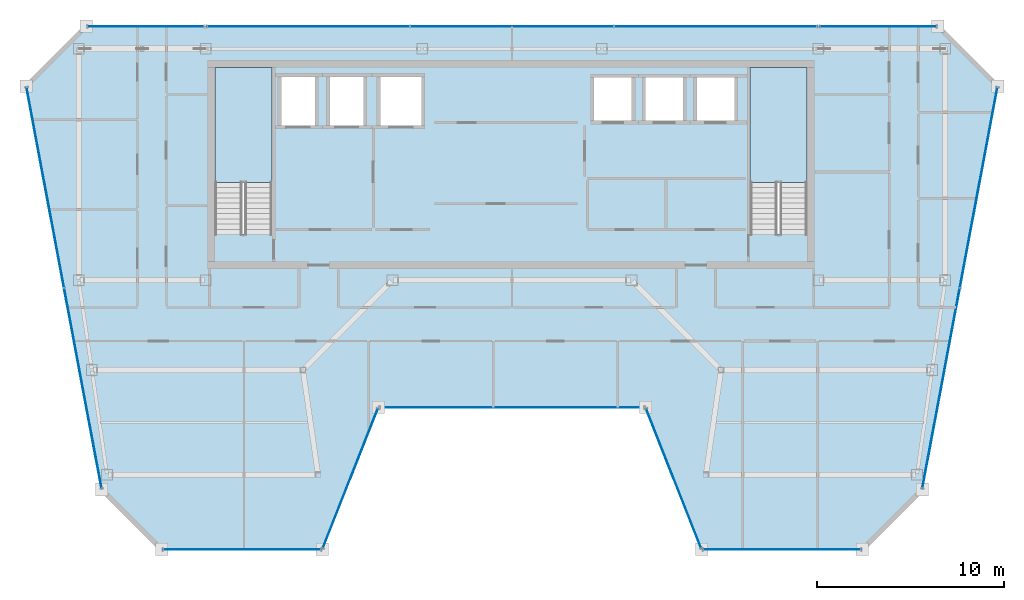
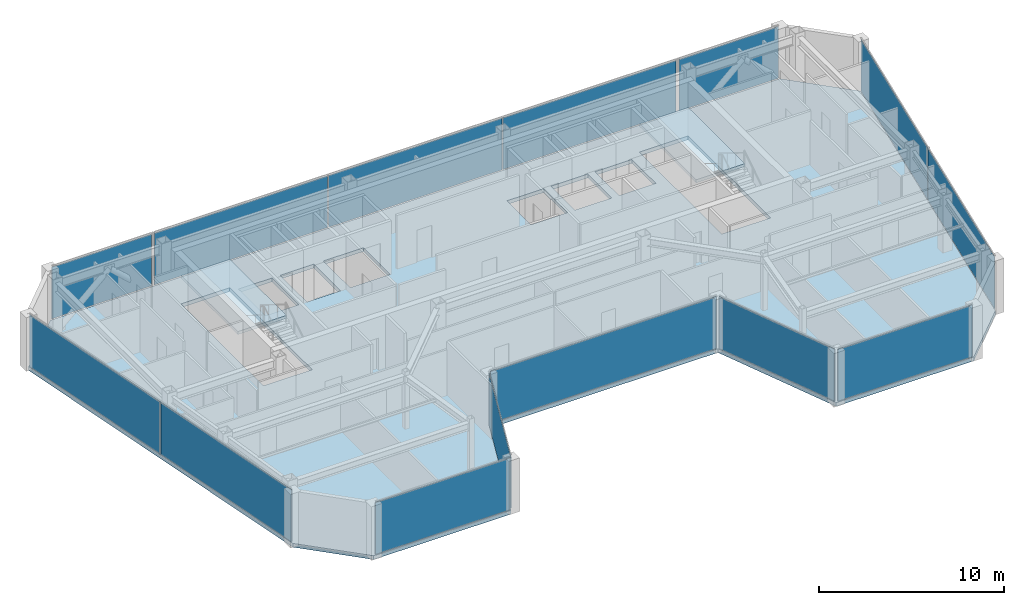
# One storey, part 17 of 23: 14 plates, 3 slabs, 12 elements without a shape of their own.
"""IFC4 building model written with IfcOpenShell, lengths in metres."""

from ifc_helpers import new_model, si_unit, direction, frame, origin, origin_2d, place, context, subcontext, project, spatial, polyline, rectangle, outline, extrude, material, layer, layer_set, type_object, element, aggregate, save


model = new_model("IFC4")

# Units and contexts
model_context = context("Model", 3, precision=1e-05, world=origin(), true_north=direction((0.0, 1.0)))
body_context = subcontext(model_context, "Body", "Model", "MODEL_VIEW")
ifc_project = project(units=[si_unit("LENGTHUNIT", "METRE"), si_unit("AREAUNIT", "SQUARE_METRE"), si_unit("VOLUMEUNIT", "CUBIC_METRE"), si_unit("PLANEANGLEUNIT", "RADIAN"), si_unit("MASSUNIT", "GRAM", prefix="KILO")], contexts=[model_context])

# Site, building, storey
site_placement = place(None, origin())
site = spatial("IfcSite", under=ifc_project, at=site_placement, CompositionType="ELEMENT")
building_placement = place(site_placement, origin())
building = spatial("IfcBuilding", under=site, at=building_placement, Name="Saevonmaru Cultural Tower", CompositionType="ELEMENT")
storey_placement = place(building_placement, frame((0.0, 0.0, 283.800048828125)))
storey = spatial("IfcBuildingStorey", under=building, at=storey_placement, Name="L67", CompositionType="ELEMENT", Elevation=283.800048828125)

# Curtain wall, plate
ifc_material_1 = material(Name="Satin Bronze Anodised Aluminium", Category="aluminium")
curtain_wall_type = type_object("IfcCurtainWallType", Name="CW-TYP-B", PredefinedType="NOTDEFINED", material=ifc_material_1)
curtain_wall_1_placement = place(storey_placement, origin())
curtain_wall_1 = element("IfcCurtainWall", 1, at=curtain_wall_1_placement, inside=storey, type_object=curtain_wall_type, Name="L67 Unitised Curtain Wall E2", PredefinedType="NOTDEFINED")
ifc_material_2 = material(Name="Triple Silver Low-E Insulating Glass", Category="glass")
ifc_layer_1 = layer(ifc_material_2, 0.035888671875, Name="Triple Silver Low-E Insulating Glass")
ifc_layer_set_1 = layer_set([ifc_layer_1], Name="Triple Silver Low-E Insulating Glass")
plate_type_1 = type_object("IfcPlateType", Name="PN-GLZ-IGU", PredefinedType="CURTAIN_PANEL", material=ifc_layer_set_1)
plate_1_placement = place(storey_placement, frame((15.54443359375, 28.0, 0.06689453125), z_axis=(0.0, 0.0, 1.0), x_axis=(1.0, 0.0, 0.0)))
plate_1 = element("IfcPlate", 2, at=plate_1_placement, type_object=plate_type_1, Name="CW-TW-L67-E2 panel 1.1", PredefinedType="CURTAIN_PANEL", context=body_context, shape_type="SweptSolid", body=[
    extrude(rectangle(XDim=8.410888671875, YDim=0.035888671875, at=origin_2d()), origin(), (0.0, 0.0, 1.0), 3.416015625),
])
aggregate(curtain_wall_1, [plate_1])

curtain_wall_2_placement = place(storey_placement, origin())
curtain_wall_2 = element("IfcCurtainWall", 3, at=curtain_wall_2_placement, inside=storey, type_object=curtain_wall_type, Name="L67 Unitised Curtain Wall E3", PredefinedType="NOTDEFINED")
plate_2_placement = place(storey_placement, frame((21.344482421875, 31.800048828125, 0.06689453125), z_axis=(0.0, 0.0, 1.0), x_axis=(0.367172185578, 0.930152990716, 0.0)))
plate_2 = element("IfcPlate", 4, at=plate_2_placement, type_object=plate_type_1, Name="CW-TW-L67-E3 panel 1.1", PredefinedType="CURTAIN_PANEL", context=body_context, shape_type="SweptSolid", body=[
    extrude(rectangle(XDim=7.981689453125, YDim=0.035888671875, at=origin_2d()), origin(), (0.0, 0.0, 1.0), 3.416015625),
])
aggregate(curtain_wall_2, [plate_2])

curtain_wall_3_placement = place(storey_placement, origin())
curtain_wall_3 = element("IfcCurtainWall", 5, at=curtain_wall_3_placement, inside=storey, type_object=curtain_wall_type, Name="L67 Unitised Curtain Wall E4", PredefinedType="NOTDEFINED")
plate_3_placement = place(storey_placement, frame((30.0, 35.60009765625, 0.06689453125), z_axis=(0.0, 0.0, 1.0), x_axis=(1.0, 0.0, 0.0)))
plate_3 = element("IfcPlate", 6, at=plate_3_placement, type_object=plate_type_1, Name="CW-TW-L67-E4 panel 1.1", PredefinedType="CURTAIN_PANEL", context=body_context, shape_type="SweptSolid", body=[
    extrude(rectangle(XDim=14.122314453125, YDim=0.035888671875, at=origin_2d()), origin(), (0.0, 0.0, 1.0), 3.416015625),
])
aggregate(curtain_wall_3, [plate_3])

curtain_wall_4_placement = place(storey_placement, origin())
curtain_wall_4 = element("IfcCurtainWall", 7, at=curtain_wall_4_placement, inside=storey, type_object=curtain_wall_type, Name="L67 Unitised Curtain Wall E5", PredefinedType="NOTDEFINED")
plate_4_placement = place(storey_placement, frame((38.655517578125, 31.800048828125, 0.06689453125), z_axis=(0.0, 0.0, 1.0), x_axis=(0.367172185578, -0.930152990716, 0.0)))
plate_4 = element("IfcPlate", 8, at=plate_4_placement, type_object=plate_type_1, Name="CW-TW-L67-E5 panel 1.1", PredefinedType="CURTAIN_PANEL", context=body_context, shape_type="SweptSolid", body=[
    extrude(rectangle(XDim=7.981689453125, YDim=0.035888671875, at=origin_2d()), origin(), (0.0, 0.0, 1.0), 3.416015625),
])
aggregate(curtain_wall_4, [plate_4])

curtain_wall_5_placement = place(storey_placement, origin())
curtain_wall_5 = element("IfcCurtainWall", 9, at=curtain_wall_5_placement, inside=storey, type_object=curtain_wall_type, Name="L67 Unitised Curtain Wall E6", PredefinedType="NOTDEFINED")
plate_5_placement = place(storey_placement, frame((44.45556640625, 28.0, 0.06689453125), z_axis=(0.0, 0.0, 1.0), x_axis=(1.0, 0.0, 0.0)))
plate_5 = element("IfcPlate", 10, at=plate_5_placement, type_object=plate_type_1, Name="CW-TW-L67-E6 panel 1.1", PredefinedType="CURTAIN_PANEL", context=body_context, shape_type="SweptSolid", body=[
    extrude(rectangle(XDim=8.410888671875, YDim=0.035888671875, at=origin_2d()), origin(), (0.0, 0.0, 1.0), 3.416015625),
])
aggregate(curtain_wall_5, [plate_5])

# Curtain wall, plates
curtain_wall_6_placement = place(storey_placement, origin())
curtain_wall_6 = element("IfcCurtainWall", 11, at=curtain_wall_6_placement, inside=storey, type_object=curtain_wall_type, Name="L67 Unitised Curtain Wall E8", PredefinedType="NOTDEFINED")
plate_6_placement = place(storey_placement, frame((52.97216796875, 36.62939453125, 0.06689453125), z_axis=(0.0, 0.0, 1.0), x_axis=(0.184046528232, 0.982917532373, 0.0)))
plate_6 = element("IfcPlate", 12, at=plate_6_placement, type_object=plate_type_1, Name="CW-TW-L67-E8 panel 1.1", PredefinedType="CURTAIN_PANEL", context=body_context, shape_type="SweptSolid", body=[
    extrude(rectangle(XDim=10.858642578125, YDim=0.035888671875, at=origin_2d()), origin(), (0.0, 0.0, 1.0), 3.416015625),
])
plate_7_placement = place(storey_placement, frame((54.9833984375, 47.37060546875, 0.06689453125), z_axis=(0.0, 0.0, 1.0), x_axis=(0.184046528232, 0.982917532373, 0.0)))
plate_7 = element("IfcPlate", 13, at=plate_7_placement, type_object=plate_type_1, Name="CW-TW-L67-E8 panel 2.1", PredefinedType="CURTAIN_PANEL", context=body_context, shape_type="SweptSolid", body=[
    extrude(rectangle(XDim=10.858642578125, YDim=0.035888671875, at=origin_2d()), origin(), (0.0, 0.0, 1.0), 3.416015625),
])
aggregate(curtain_wall_6, [plate_6, plate_7])

curtain_wall_7_placement = place(storey_placement, origin())
curtain_wall_7 = element("IfcCurtainWall", 14, at=curtain_wall_7_placement, inside=storey, type_object=curtain_wall_type, Name="L67 North Spine Unitised Curtain Wall E10B", PredefinedType="NOTDEFINED")
plate_8_placement = place(storey_placement, frame((40.893310546875, 56.0, 0.06689453125), z_axis=(0.0, 0.0, 1.0), x_axis=(-1.0, 0.0, 0.0)))
plate_8 = element("IfcPlate", 15, at=plate_8_placement, type_object=plate_type_1, Name="CW-TW-L67-E10B panel 1.1", PredefinedType="CURTAIN_PANEL", context=body_context, shape_type="SweptSolid", body=[
    extrude(rectangle(XDim=10.82421875, YDim=0.035888671875, at=origin_2d()), origin(), (0.0, 0.0, 1.0), 3.416015625),
])
plate_9_placement = place(storey_placement, frame((30.0, 56.0, 0.06689453125), z_axis=(0.0, 0.0, 1.0), x_axis=(-1.0, 0.0, 0.0)))
plate_9 = element("IfcPlate", 16, at=plate_9_placement, type_object=plate_type_1, Name="CW-TW-L67-E10B panel 2.1", PredefinedType="CURTAIN_PANEL", context=body_context, shape_type="SweptSolid", body=[
    extrude(rectangle(XDim=10.82421875, YDim=0.035888671875, at=origin_2d()), origin(), (0.0, 0.0, 1.0), 3.416015625),
])
plate_10_placement = place(storey_placement, frame((19.106689453125, 56.0, 0.06689453125), z_axis=(0.0, 0.0, 1.0), x_axis=(-1.0, 0.0, 0.0)))
plate_10 = element("IfcPlate", 17, at=plate_10_placement, type_object=plate_type_1, Name="CW-TW-L67-E10B panel 3.1", PredefinedType="CURTAIN_PANEL", context=body_context, shape_type="SweptSolid", body=[
    extrude(rectangle(XDim=10.82421875, YDim=0.035888671875, at=origin_2d()), origin(), (0.0, 0.0, 1.0), 3.416015625),
])
aggregate(curtain_wall_7, [plate_8, plate_9, plate_10])

curtain_wall_8_placement = place(storey_placement, origin())
curtain_wall_8 = element("IfcCurtainWall", 18, at=curtain_wall_8_placement, inside=storey, type_object=curtain_wall_type, Name="L67 Unitised Curtain Wall E12", PredefinedType="NOTDEFINED")
plate_11_placement = place(storey_placement, frame((5.0166015625, 47.37060546875, 0.06689453125), z_axis=(0.0, 0.0, 1.0), x_axis=(0.184046528232, -0.982917532373, 0.0)))
plate_11 = element("IfcPlate", 19, at=plate_11_placement, type_object=plate_type_1, Name="CW-TW-L67-E12 panel 1.1", PredefinedType="CURTAIN_PANEL", context=body_context, shape_type="SweptSolid", body=[
    extrude(rectangle(XDim=10.858642578125, YDim=0.035888671875, at=origin_2d()), origin(), (0.0, 0.0, 1.0), 3.416015625),
])
plate_12_placement = place(storey_placement, frame((7.02783203125, 36.62939453125, 0.06689453125), z_axis=(0.0, 0.0, 1.0), x_axis=(0.184046528232, -0.982917532373, 0.0)))
plate_12 = element("IfcPlate", 20, at=plate_12_placement, type_object=plate_type_1, Name="CW-TW-L67-E12 panel 2.1", PredefinedType="CURTAIN_PANEL", context=body_context, shape_type="SweptSolid", body=[
    extrude(rectangle(XDim=10.858642578125, YDim=0.035888671875, at=origin_2d()), origin(), (0.0, 0.0, 1.0), 3.416015625),
])
aggregate(curtain_wall_8, [plate_11, plate_12])

# Curtain wall, plate
curtain_wall_9_placement = place(storey_placement, origin())
curtain_wall_9 = element("IfcCurtainWall", 21, at=curtain_wall_9_placement, inside=storey, type_object=curtain_wall_type, Name="L67 East Braced Bay Spandrel Curtain Wall E10A", PredefinedType="NOTDEFINED")
ifc_material_3 = material(Name="Insulated Satin Bronze Aluminium Spandrel Panel", Category="aluminium")
ifc_layer_2 = layer(ifc_material_3, 0.0400390625, Name="Insulated Satin Bronze Aluminium Spandrel Panel")
ifc_layer_set_2 = layer_set([ifc_layer_2], Name="Insulated Satin Bronze Aluminium Spandrel Panel")
plate_type_2 = type_object("IfcPlateType", Name="PN-SPANDREL-BRONZE", PredefinedType="CURTAIN_PANEL", material=ifc_layer_set_2)
plate_13_placement = place(storey_placement, frame((49.60009765625, 56.0, 0.06689453125), z_axis=(0.0, 0.0, 1.0), x_axis=(-1.0, 0.0, 0.0)))
plate_13 = element("IfcPlate", 22, at=plate_13_placement, type_object=plate_type_2, Name="CW-TW-L67-E10A panel 1.1", PredefinedType="CURTAIN_PANEL", context=body_context, shape_type="SweptSolid", body=[
    extrude(rectangle(XDim=6.2109375, YDim=0.035888671875, at=origin_2d()), origin(), (0.0, 0.0, 1.0), 3.416015625),
])
aggregate(curtain_wall_9, [plate_13])

curtain_wall_10_placement = place(storey_placement, origin())
curtain_wall_10 = element("IfcCurtainWall", 23, at=curtain_wall_10_placement, inside=storey, type_object=curtain_wall_type, Name="L67 West Braced Bay Spandrel Curtain Wall E10C", PredefinedType="NOTDEFINED")
plate_14_placement = place(storey_placement, frame((10.39990234375, 56.0, 0.06689453125), z_axis=(0.0, 0.0, 1.0), x_axis=(-1.0, 0.0, 0.0)))
plate_14 = element("IfcPlate", 24, at=plate_14_placement, type_object=plate_type_2, Name="CW-TW-L67-E10C panel 1.1", PredefinedType="CURTAIN_PANEL", context=body_context, shape_type="SweptSolid", body=[
    extrude(rectangle(XDim=6.2109375, YDim=0.035888671875, at=origin_2d()), origin(), (0.0, 0.0, 1.0), 3.416015625),
])
aggregate(curtain_wall_10, [plate_14])

# Slab
ifc_material_4 = material(Name="Concrete C40/50", Category="concrete")
ifc_layer_3 = layer(ifc_material_4, 0.25, Name="Concrete C40/50")
ifc_layer_set_3 = layer_set([ifc_layer_3], Name="Concrete C40/50")
slab_type_1 = type_object("IfcSlabType", Name="SL-FLR-250", PredefinedType="FLOOR", material=ifc_layer_set_3)
slab_1_placement = place(storey_placement, frame((0.0, 0.0, -0.25)))
element("IfcSlab", 25, at=slab_1_placement, inside=storey, type_object=slab_type_1, Name="L67 Tower Structural Floor Slab", PredefinedType="FLOOR", context=body_context, shape_type="SweptSolid", body=[
    extrude(outline(polyline([(8.04443359375, 31.199951171875), (11.244384765625, 28.0), (19.844482421875, 28.0), (22.844482421875, 35.60009765625), (37.155517578125, 35.60009765625), (40.155517578125, 28.0), (48.755615234375, 28.0), (51.95556640625, 31.199951171875), (56.0, 52.800048828125), (52.800048828125, 56.0), (7.199951171875, 56.0), (4.0, 52.800048828125), (8.04443359375, 31.199951171875)]), holes=[polyline([(45.800048828125, 53.800048828125), (45.800048828125, 44.875), (42.75, 44.875), (42.75, 53.800048828125), (45.800048828125, 53.800048828125)]), polyline([(42.050048828125, 50.800048828125), (39.75, 50.800048828125), (39.75, 53.39990234375), (42.050048828125, 53.39990234375), (42.050048828125, 50.800048828125)]), polyline([(39.300048828125, 50.800048828125), (37.0, 50.800048828125), (37.0, 53.39990234375), (39.300048828125, 53.39990234375), (39.300048828125, 50.800048828125)]), polyline([(36.550048828125, 50.800048828125), (34.25, 50.800048828125), (34.25, 53.39990234375), (36.550048828125, 53.39990234375), (36.550048828125, 50.800048828125)]), polyline([(25.300048828125, 50.550048828125), (22.800048828125, 50.550048828125), (22.800048828125, 53.449951171875), (25.300048828125, 53.449951171875), (25.300048828125, 50.550048828125)]), polyline([(22.199951171875, 50.550048828125), (20.10009765625, 50.550048828125), (20.10009765625, 53.449951171875), (22.199951171875, 53.449951171875), (22.199951171875, 50.550048828125)]), polyline([(19.60009765625, 50.550048828125), (17.5, 50.550048828125), (17.5, 53.449951171875), (19.60009765625, 53.449951171875), (19.60009765625, 50.550048828125)]), polyline([(17.14990234375, 53.800048828125), (17.14990234375, 44.875), (14.10009765625, 44.875), (14.10009765625, 53.800048828125), (17.14990234375, 53.800048828125)])]), origin(), (0.0, 0.0, 1.0), 0.25),
])

# Stair, slab
stair_type = type_object("IfcStairType", Name="STR-DOGLEG-RC", PredefinedType="HALF_TURN_STAIR", material=ifc_material_4)
stair_1_placement = place(storey_placement, origin())
stair_1 = element("IfcStair", 26, at=stair_1_placement, inside=storey, type_object=stair_type, Name="L67 Protected exit stair ST-1", PredefinedType="HALF_TURN_STAIR")
ifc_layer_4 = layer(ifc_material_4, 0.199951171875, Name="Concrete C40/50")
ifc_layer_set_4 = layer_set([ifc_layer_4], Name="Concrete C40/50")
slab_type_2 = type_object("IfcSlabType", Name="SL-STAIR-LANDING", PredefinedType="LANDING", material=ifc_layer_set_4)
slab_2_placement = place(storey_placement, frame((0.0, 0.0, 1.699951171875)))
slab_2 = element("IfcSlab", 27, at=slab_2_placement, type_object=slab_type_2, Name="ST-1-L67 landing 1", PredefinedType="LANDING", context=body_context, shape_type="SweptSolid", body=[
    extrude(outline(polyline([(17.14990234375, 47.64990234375), (17.14990234375, 53.800048828125), (14.10009765625, 53.800048828125), (14.10009765625, 47.64990234375), (17.14990234375, 47.64990234375)])), origin(), (0.0, 0.0, 1.0), 0.199951171875),
])
aggregate(stair_1, [slab_2])

stair_2_placement = place(storey_placement, origin())
stair_2 = element("IfcStair", 28, at=stair_2_placement, inside=storey, type_object=stair_type, Name="L67 Protected exit stair ST-2", PredefinedType="HALF_TURN_STAIR")
slab_3_placement = place(storey_placement, frame((0.0, 0.0, 1.699951171875)))
slab_3 = element("IfcSlab", 29, at=slab_3_placement, type_object=slab_type_2, Name="ST-2-L67 landing 1", PredefinedType="LANDING", context=body_context, shape_type="SweptSolid", body=[
    extrude(outline(polyline([(45.800048828125, 47.64990234375), (45.800048828125, 53.800048828125), (42.75, 53.800048828125), (42.75, 47.64990234375), (45.800048828125, 47.64990234375)])), origin(), (0.0, 0.0, 1.0), 0.199951171875),
])
aggregate(stair_2, [slab_3])

save(model, "model.ifc")
